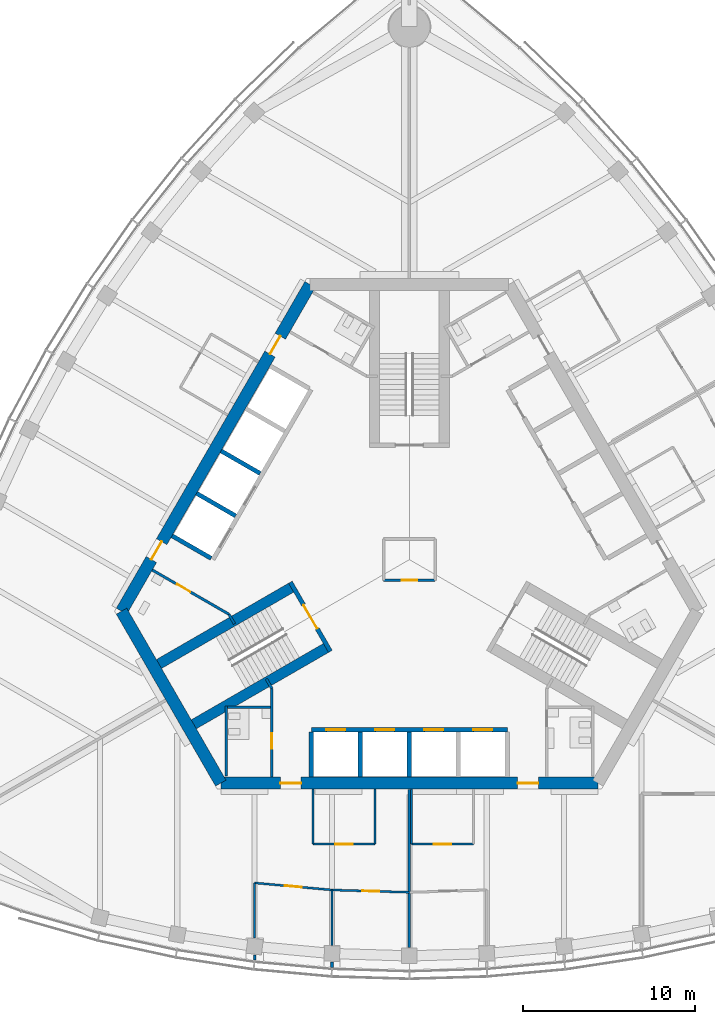
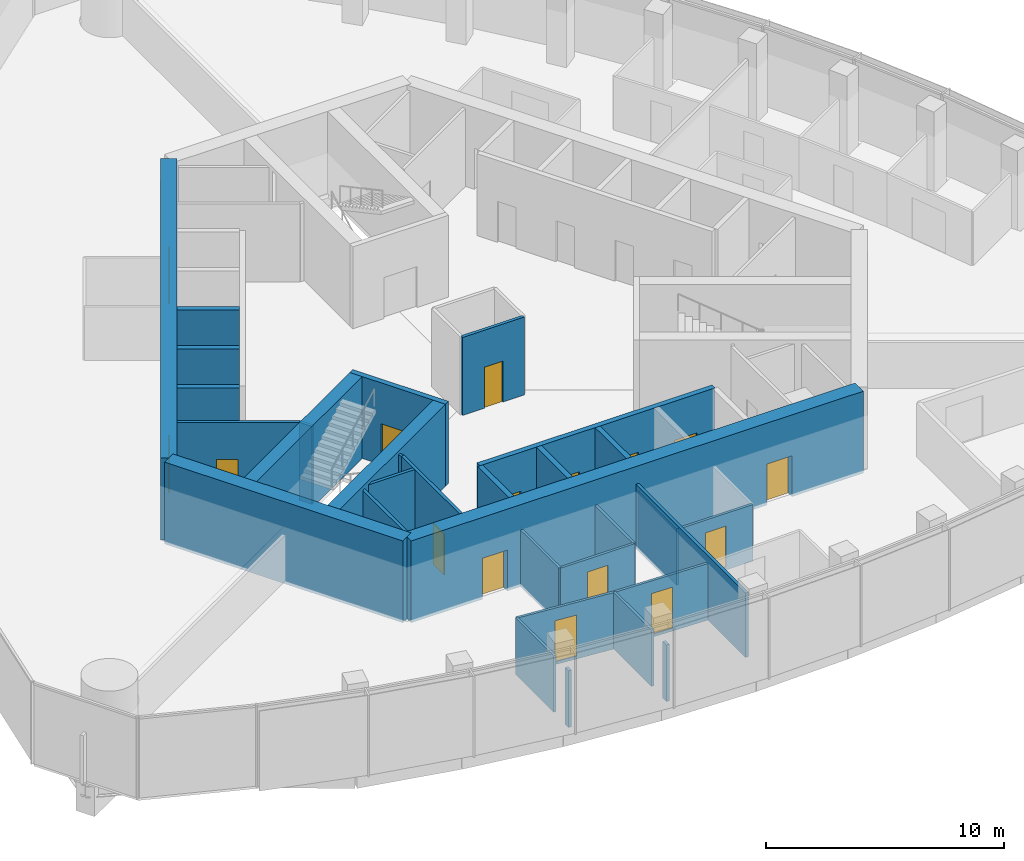
# One storey, part 8 of 16: 32 walls, 16 doors, 16 openings.
"""IFC4 building model written with IfcOpenShell, lengths in metres."""

from ifc_helpers import new_model, si_unit, direction, frame, frame_2d, origin, place, context, subcontext, project, spatial, rectangle, extrude, material, layer, layer_set, type_object, element, fill, save


model = new_model("IFC4")

# Units and contexts
model_context = context("Model", 3, precision=1e-05, world=origin(), true_north=direction((0.0, 1.0)))
body_context = subcontext(model_context, "Body", "Model", "MODEL_VIEW")
ifc_project = project(units=[si_unit("LENGTHUNIT", "METRE"), si_unit("AREAUNIT", "SQUARE_METRE"), si_unit("VOLUMEUNIT", "CUBIC_METRE"), si_unit("PLANEANGLEUNIT", "RADIAN"), si_unit("MASSUNIT", "GRAM", prefix="KILO")], contexts=[model_context])

# Site, building, storey
site_placement = place(None, origin())
site = spatial("IfcSite", under=ifc_project, at=site_placement, CompositionType="ELEMENT")
building_placement = place(site_placement, origin())
building = spatial("IfcBuilding", under=site, at=building_placement, Name="Trefoil Bronze Tower", CompositionType="ELEMENT")
storey_placement = place(building_placement, frame((0.0, 0.0, 297.300048828125)))
storey = spatial("IfcBuildingStorey", under=building, at=storey_placement, Name="L68", CompositionType="ELEMENT", Elevation=297.300048828125)

# Wall, openings, doors
ifc_material_1 = material(Name="Concrete B80", Category="concrete")
ifc_layer_1 = layer(ifc_material_1, 0.699951171875)
ifc_layer_set_1 = layer_set([ifc_layer_1], Name="Core wall 700")
wall_type_1 = type_object("IfcWallType", Name="Core wall 700", PredefinedType="SHEAR", material=ifc_layer_set_1)
wall_1_placement = place(storey_placement, frame((-10.9697265625, -13.0, 0.0), z_axis=(0.0, 0.0, 1.0), x_axis=(1.0, 0.0, 0.0)))
wall_1 = element("IfcWall", 1, at=wall_1_placement, inside=storey, type_object=wall_type_1, Name="Core long wall 1 L68", PredefinedType="SHEAR", context=body_context, shape_type="SweptSolid", body=[
    extrude(rectangle(XDim=21.939453125, YDim=0.699951171875, at=frame_2d((10.9697265625, 0.0))), origin(), (0.0, 0.0, 1.0), 4.199951171875),
])
opening_1_placement = place(wall_1_placement, frame((17.269775390625, 0.0, 0.0)))
opening_1 = element("IfcOpeningElement", 2, at=opening_1_placement, cuts=wall_1, Name="Opening D2", PredefinedType="OPENING", context=body_context, shape_type="SweptSolid", body=[
    extrude(rectangle(XDim=1.199951171875, YDim=2.10009765625, at=frame_2d((0.60009765625, 1.050048828125))), frame((0.0, 0.35986328125, 0.0), z_axis=(0.0, -1.0, 0.0), x_axis=(1.0, 0.0, 0.0)), (0.0, 0.0, 1.0), 0.719970703125),
])
opening_2_placement = place(wall_1_placement, frame((3.4697265625, 0.0, 0.0)))
opening_2 = element("IfcOpeningElement", 3, at=opening_2_placement, cuts=wall_1, Name="Opening D2", PredefinedType="OPENING", context=body_context, shape_type="SweptSolid", body=[
    extrude(rectangle(XDim=1.199951171875, YDim=2.10009765625, at=frame_2d((0.60009765625, 1.050048828125))), frame((0.0, 0.35986328125, 0.0), z_axis=(0.0, -1.0, 0.0), x_axis=(1.0, 0.0, 0.0)), (0.0, 0.0, 1.0), 0.719970703125),
])
ifc_material_2 = material(Name="Steel door", Category="steel")
door_type_1 = type_object("IfcDoorType", Name="Lobby door 1200", OperationType="SINGLE_SWING_RIGHT", PredefinedType="DOOR", material=ifc_material_2)
door_1_placement = place(opening_1_placement, origin())
door_1 = element("IfcDoor", 4, at=door_1_placement, inside=storey, type_object=door_type_1, Name="Lobby door F1+ L68", OperationType="SINGLE_SWING_RIGHT", OverallHeight=2.10009765625, OverallWidth=1.199951171875, PredefinedType="DOOR", context=body_context, shape_type="SweptSolid", body=[
    extrude(rectangle(XDim=1.199951171875, YDim=2.10009765625, at=frame_2d((0.60009765625, 1.050048828125))), frame((0.0, 0.02490234375, 0.0), z_axis=(0.0, -1.0, 0.0), x_axis=(1.0, 0.0, 0.0)), (0.0, 0.0, 1.0), 0.050048828125),
])
fill(opening_1, door_1)
door_2_placement = place(opening_2_placement, origin())
door_2 = element("IfcDoor", 5, at=door_2_placement, inside=storey, type_object=door_type_1, Name="Lobby door F1- L68", OperationType="SINGLE_SWING_LEFT", OverallHeight=2.10009765625, OverallWidth=1.199951171875, PredefinedType="DOOR", context=body_context, shape_type="SweptSolid", body=[
    extrude(rectangle(XDim=1.199951171875, YDim=2.10009765625, at=frame_2d((0.60009765625, 1.050048828125))), frame((0.0, 0.02490234375, 0.0), z_axis=(0.0, -1.0, 0.0), x_axis=(1.0, 0.0, 0.0)), (0.0, 0.0, 1.0), 0.050048828125),
])
fill(opening_2, door_2)

wall_2_placement = place(storey_placement, frame((-5.7734375, 16.0, 0.0), z_axis=(0.0, 0.0, 1.0), x_axis=(-0.500002442456, -0.866023993627, 0.0)))
wall_2 = element("IfcWall", 6, at=wall_2_placement, inside=storey, type_object=wall_type_1, Name="Core long wall 3 L68", PredefinedType="SHEAR", context=body_context, shape_type="SweptSolid", body=[
    extrude(rectangle(XDim=21.939453125, YDim=0.699951171875, at=frame_2d((10.9697265625, 0.0))), origin(), (0.0, 0.0, 1.0), 4.199951171875),
])
opening_3_placement = place(wall_2_placement, frame((17.269775390625, 0.0, 0.0)))
opening_3 = element("IfcOpeningElement", 7, at=opening_3_placement, cuts=wall_2, Name="Opening D2", PredefinedType="OPENING", context=body_context, shape_type="SweptSolid", body=[
    extrude(rectangle(XDim=1.199951171875, YDim=2.10009765625, at=frame_2d((0.60009765625, 1.050048828125))), frame((0.0, 0.35986328125, 0.0), z_axis=(0.0, -1.0, 0.0), x_axis=(1.0, 0.0, 0.0)), (0.0, 0.0, 1.0), 0.719970703125),
])
opening_4_placement = place(wall_2_placement, frame((3.4697265625, 0.0, 0.0)))
opening_4 = element("IfcOpeningElement", 8, at=opening_4_placement, cuts=wall_2, Name="Opening D2", PredefinedType="OPENING", context=body_context, shape_type="SweptSolid", body=[
    extrude(rectangle(XDim=1.199951171875, YDim=2.10009765625, at=frame_2d((0.60009765625, 1.050048828125))), frame((0.0, 0.35986328125, 0.0), z_axis=(0.0, -1.0, 0.0), x_axis=(1.0, 0.0, 0.0)), (0.0, 0.0, 1.0), 0.719970703125),
])
door_3_placement = place(opening_3_placement, origin())
door_3 = element("IfcDoor", 9, at=door_3_placement, inside=storey, type_object=door_type_1, Name="Lobby door F3+ L68", OperationType="SINGLE_SWING_RIGHT", OverallHeight=2.10009765625, OverallWidth=1.199951171875, PredefinedType="DOOR", context=body_context, shape_type="SweptSolid", body=[
    extrude(rectangle(XDim=1.199951171875, YDim=2.10009765625, at=frame_2d((0.60009765625, 1.050048828125))), frame((0.0, 0.02490234375, 0.0), z_axis=(0.0, -1.0, 0.0), x_axis=(1.0, 0.0, 0.0)), (0.0, 0.0, 1.0), 0.050048828125),
])
fill(opening_3, door_3)
door_4_placement = place(opening_4_placement, origin())
door_4 = element("IfcDoor", 10, at=door_4_placement, inside=storey, type_object=door_type_1, Name="Lobby door F3- L68", OperationType="SINGLE_SWING_LEFT", OverallHeight=2.10009765625, OverallWidth=1.199951171875, PredefinedType="DOOR", context=body_context, shape_type="SweptSolid", body=[
    extrude(rectangle(XDim=1.199951171875, YDim=2.10009765625, at=frame_2d((0.60009765625, 1.050048828125))), frame((0.0, 0.02490234375, 0.0), z_axis=(0.0, -1.0, 0.0), x_axis=(1.0, 0.0, 0.0)), (0.0, 0.0, 1.0), 0.050048828125),
])
fill(opening_4, door_4)

# Wall
wall_3_placement = place(storey_placement, frame((-16.7431640625, -3.0, 0.0), z_axis=(0.0, 0.0, 1.0), x_axis=(0.499995765644, -0.866027848477, 0.0)))
element("IfcWall", 11, at=wall_3_placement, inside=storey, type_object=wall_type_1, Name="Core short wall 3 L68", PredefinedType="SHEAR", context=body_context, shape_type="SweptSolid", body=[
    extrude(rectangle(XDim=11.546875, YDim=0.699951171875, at=frame_2d((5.7734375, 0.0))), origin(), (0.0, 0.0, 1.0), 4.199951171875),
])

# Wall, opening, door
ifc_material_3 = material(Name="Glazed partition", Category="glass")
ifc_layer_2 = layer(ifc_material_3, 0.1201171875)
ifc_layer_set_2 = layer_set([ifc_layer_2], Name="Glazed partition 120")
wall_type_2 = type_object("IfcWallType", Name="Glazed partition 120", PredefinedType="PARTITIONING", material=ifc_layer_set_2)
wall_4_placement = place(storey_placement, frame((0.125, -16.550048828125, 0.0), z_axis=(0.0, 0.0, 1.0), x_axis=(1.0, 0.0, 0.0)))
wall_4 = element("IfcWall", 12, at=wall_4_placement, inside=storey, type_object=wall_type_2, Name="Partition F1 L68", PredefinedType="PARTITIONING", context=body_context, shape_type="SweptSolid", body=[
    extrude(rectangle(XDim=3.60009765625, YDim=0.1201171875, at=frame_2d((1.800048828125, 0.0))), origin(), (0.0, 0.0, 1.0), 2.89990234375),
])
opening_5_placement = place(wall_4_placement, frame((1.300048828125, 0.0, 0.14990234375)))
opening_5 = element("IfcOpeningElement", 13, at=opening_5_placement, cuts=wall_4, Name="Opening D9", PredefinedType="OPENING", context=body_context, shape_type="SweptSolid", body=[
    extrude(rectangle(XDim=1.0, YDim=2.10009765625, at=frame_2d((0.5, 1.050048828125))), frame((0.0, 0.070068359375, 0.0), z_axis=(0.0, -1.0, 0.0), x_axis=(1.0, 0.0, 0.0)), (0.0, 0.0, 1.0), 0.14013671875),
])
ifc_material_4 = material(Name="Glazed timber door", Category="wood")
door_type_2 = type_object("IfcDoorType", Name="Meeting room door 1000", OperationType="SINGLE_SWING_LEFT", PredefinedType="DOOR", material=ifc_material_4)
door_5_placement = place(opening_5_placement, origin())
door_5 = element("IfcDoor", 14, at=door_5_placement, inside=storey, type_object=door_type_2, Name="Meeting room door F1 L68", OperationType="SINGLE_SWING_LEFT", OverallHeight=2.10009765625, OverallWidth=1.0, PredefinedType="DOOR", context=body_context, shape_type="SweptSolid", body=[
    extrude(rectangle(XDim=1.0, YDim=2.10009765625, at=frame_2d((0.5, 1.050048828125))), frame((0.0, 0.02490234375, 0.0), z_axis=(0.0, -1.0, 0.0), x_axis=(1.0, 0.0, 0.0)), (0.0, 0.0, 1.0), 0.050048828125),
])
fill(opening_5, door_5)

wall_5_placement = place(storey_placement, frame((-5.60009765625, -16.550048828125, 0.0), z_axis=(0.0, 0.0, 1.0), x_axis=(1.0, 0.0, 0.0)))
wall_5 = element("IfcWall", 15, at=wall_5_placement, inside=storey, type_object=wall_type_2, Name="Partition F1 L68", PredefinedType="PARTITIONING", context=body_context, shape_type="SweptSolid", body=[
    extrude(rectangle(XDim=3.60009765625, YDim=0.1201171875, at=frame_2d((1.800048828125, 0.0))), origin(), (0.0, 0.0, 1.0), 2.89990234375),
])
opening_6_placement = place(wall_5_placement, frame((1.300048828125, 0.0, 0.14990234375)))
opening_6 = element("IfcOpeningElement", 16, at=opening_6_placement, cuts=wall_5, Name="Opening D9", PredefinedType="OPENING", context=body_context, shape_type="SweptSolid", body=[
    extrude(rectangle(XDim=1.0, YDim=2.10009765625, at=frame_2d((0.5, 1.050048828125))), frame((0.0, 0.070068359375, 0.0), z_axis=(0.0, -1.0, 0.0), x_axis=(1.0, 0.0, 0.0)), (0.0, 0.0, 1.0), 0.14013671875),
])
door_6_placement = place(opening_6_placement, origin())
door_6 = element("IfcDoor", 17, at=door_6_placement, inside=storey, type_object=door_type_2, Name="Meeting room door F1 L68", OperationType="SINGLE_SWING_RIGHT", OverallHeight=2.10009765625, OverallWidth=1.0, PredefinedType="DOOR", context=body_context, shape_type="SweptSolid", body=[
    extrude(rectangle(XDim=1.0, YDim=2.10009765625, at=frame_2d((0.5, 1.050048828125))), frame((0.0, 0.02490234375, 0.0), z_axis=(0.0, -1.0, 0.0), x_axis=(1.0, 0.0, 0.0)), (0.0, 0.0, 1.0), 0.050048828125),
])
fill(opening_6, door_6)

# Walls
for number, where, z_axis, x_axis, name in (
    (18, (0.125, -13.35009765625, 0.0), (0.0, 0.0, 1.0), (0.0, -1.0, 0.0), "Partition F1 L68"),
    (19, (-2.0, -13.35009765625, 0.0), (0.0, 0.0, 1.0), (0.0, -1.0, 0.0), "Partition F1 L68"),
    (20, (-5.60009765625, -13.35009765625, 0.0), (0.0, 0.0, 1.0), (0.0, -1.0, 0.0), "Partition F1 L68"),
):
    element("IfcWall", number, at=place(storey_placement, frame(where, z_axis=z_axis, x_axis=x_axis)), inside=storey, type_object=wall_type_2, Name=name, PredefinedType="PARTITIONING", context=body_context, shape_type="SweptSolid", body=[
        extrude(rectangle(XDim=3.199951171875, YDim=0.1201171875, at=frame_2d((1.60009765625, 0.0))), origin(), (0.0, 0.0, 1.0), 2.89990234375),
    ])

# Wall, opening, door
wall_6_placement = place(storey_placement, frame((-4.5, -19.21533203125, 0.0), z_axis=(0.0, 0.0, 1.0), x_axis=(0.999542074227, -0.030259574513, 0.0)))
wall_6 = element("IfcWall", 21, at=wall_6_placement, inside=storey, type_object=wall_type_2, Name="Partition F1 L68", PredefinedType="PARTITIONING", context=body_context, shape_type="SweptSolid", body=[
    extrude(rectangle(XDim=4.501953125, YDim=0.1201171875, at=frame_2d((2.2509765625, 0.0))), origin(), (0.0, 0.0, 1.0), 2.89990234375),
])
opening_7_placement = place(wall_6_placement, frame((1.75, 0.0, 0.14990234375)))
opening_7 = element("IfcOpeningElement", 22, at=opening_7_placement, cuts=wall_6, Name="Opening D9", PredefinedType="OPENING", context=body_context, shape_type="SweptSolid", body=[
    extrude(rectangle(XDim=1.0, YDim=2.10009765625, at=frame_2d((0.5, 1.050048828125))), frame((0.0, 0.070068359375, 0.0), z_axis=(0.0, -1.0, 0.0), x_axis=(1.0, 0.0, 0.0)), (0.0, 0.0, 1.0), 0.14013671875),
])
door_7_placement = place(opening_7_placement, frame((1.0, 0.0, 0.0), z_axis=(0.0, 0.0, 1.0), x_axis=(-1.0, 0.0, 0.0)))
door_7 = element("IfcDoor", 23, at=door_7_placement, inside=storey, type_object=door_type_2, Name="Client meeting room door F1 L68", OperationType="SINGLE_SWING_RIGHT", OverallHeight=2.10009765625, OverallWidth=1.0, PredefinedType="DOOR", context=body_context, shape_type="SweptSolid", body=[
    extrude(rectangle(XDim=1.0, YDim=2.10009765625, at=frame_2d((0.5, 1.050048828125))), frame((0.0, 0.02490234375, 0.0), z_axis=(0.0, -1.0, 0.0), x_axis=(1.0, 0.0, 0.0)), (0.0, 0.0, 1.0), 0.050048828125),
])
fill(opening_7, door_7)

wall_7_placement = place(storey_placement, frame((-9.0, -18.80517578125, 0.0), z_axis=(0.0, 0.0, 1.0), x_axis=(0.995871921504, -0.090769576179, 0.0)))
wall_7 = element("IfcWall", 24, at=wall_7_placement, inside=storey, type_object=wall_type_2, Name="Partition F1 L68", PredefinedType="PARTITIONING", context=body_context, shape_type="SweptSolid", body=[
    extrude(rectangle(XDim=4.5185546875, YDim=0.1201171875, at=frame_2d((2.25927734375, 0.0))), origin(), (0.0, 0.0, 1.0), 2.89990234375),
])
opening_8_placement = place(wall_7_placement, frame((1.75, 0.0, 0.14990234375)))
opening_8 = element("IfcOpeningElement", 25, at=opening_8_placement, cuts=wall_7, Name="Opening D9", PredefinedType="OPENING", context=body_context, shape_type="SweptSolid", body=[
    extrude(rectangle(XDim=1.0, YDim=2.10009765625, at=frame_2d((0.5, 1.050048828125))), frame((0.0, 0.070068359375, 0.0), z_axis=(0.0, -1.0, 0.0), x_axis=(1.0, 0.0, 0.0)), (0.0, 0.0, 1.0), 0.14013671875),
])
door_8_placement = place(opening_8_placement, frame((1.0, 0.0, 0.0), z_axis=(0.0, 0.0, 1.0), x_axis=(-1.0, 0.0, 0.0)))
door_8 = element("IfcDoor", 26, at=door_8_placement, inside=storey, type_object=door_type_2, Name="Client meeting room door F1 L68", OperationType="SINGLE_SWING_RIGHT", OverallHeight=2.10009765625, OverallWidth=1.0, PredefinedType="DOOR", context=body_context, shape_type="SweptSolid", body=[
    extrude(rectangle(XDim=1.0, YDim=2.10009765625, at=frame_2d((0.5, 1.050048828125))), frame((0.0, 0.02490234375, 0.0), z_axis=(0.0, -1.0, 0.0), x_axis=(1.0, 0.0, 0.0)), (0.0, 0.0, 1.0), 0.050048828125),
])
fill(opening_8, door_8)

# Walls
wall_8_placement = place(storey_placement, frame((-4.5, -19.21533203125, 0.0), z_axis=(0.0, 0.0, 1.0), x_axis=(0.0, -1.0, 0.0)))
element("IfcWall", 27, at=wall_8_placement, inside=storey, type_object=wall_type_2, Name="Partition F1 L68", PredefinedType="PARTITIONING", context=body_context, shape_type="SweptSolid", body=[
    extrude(rectangle(XDim=3.2177734375, YDim=0.1201171875, at=frame_2d((1.60888671875, 0.0))), origin(), (0.0, 0.0, 1.0), 2.89990234375),
])
wall_9_placement = place(storey_placement, frame((-9.0, -18.80517578125, 0.0), z_axis=(0.0, 0.0, 1.0), x_axis=(0.0, -1.0, 0.0)))
element("IfcWall", 28, at=wall_9_placement, inside=storey, type_object=wall_type_2, Name="Partition F1 L68", PredefinedType="PARTITIONING", context=body_context, shape_type="SweptSolid", body=[
    extrude(rectangle(XDim=3.21044921875, YDim=0.1201171875, at=frame_2d((1.605224609375, 0.0))), origin(), (0.0, 0.0, 1.0), 2.89990234375),
])

# Wall, opening, door
ifc_material_5 = material(Name="Gypsum board on steel studs", Category="steel")
ifc_layer_3 = layer(ifc_material_5, 0.14990234375)
ifc_layer_set_3 = layer_set([ifc_layer_3], Name="Partition 150")
wall_type_3 = type_object("IfcWallType", Name="Partition 150", PredefinedType="PARTITIONING", material=ifc_layer_set_3)
wall_10_placement = place(storey_placement, frame((-8.0, -7.5, 0.0), z_axis=(0.0, 0.0, 1.0), x_axis=(0.0, -1.0, 0.0)))
wall_10 = element("IfcWall", 29, at=wall_10_placement, inside=storey, type_object=wall_type_3, Name="Passage wall F1- L68", PredefinedType="PARTITIONING", context=body_context, shape_type="SweptSolid", body=[
    extrude(rectangle(XDim=5.14990234375, YDim=0.14990234375, at=frame_2d((2.574951171875, 0.0))), origin(), (0.0, 0.0, 1.0), 4.0),
])
opening_9_placement = place(wall_10_placement, frame((2.60009765625, 0.0, 0.0)))
opening_9 = element("IfcOpeningElement", 30, at=opening_9_placement, cuts=wall_10, Name="Opening D3", PredefinedType="OPENING", context=body_context, shape_type="SweptSolid", body=[
    extrude(rectangle(XDim=0.89990234375, YDim=2.10009765625, at=frame_2d((0.449951171875, 1.050048828125))), frame((0.0, 0.0849609375, 0.0), z_axis=(0.0, -1.0, 0.0), x_axis=(1.0, 0.0, 0.0)), (0.0, 0.0, 1.0), 0.169921875),
])
ifc_material_6 = material(Name="Timber door", Category="wood")
door_type_3 = type_object("IfcDoorType", Name="WC door 900", OperationType="SINGLE_SWING_LEFT", PredefinedType="DOOR", material=ifc_material_6)
door_9_placement = place(opening_9_placement, frame((0.89990234375, 0.0, 0.0), z_axis=(0.0, 0.0, 1.0), x_axis=(-1.0, 0.0, 0.0)))
door_9 = element("IfcDoor", 31, at=door_9_placement, inside=storey, type_object=door_type_3, Name="WC (women) door L68", OperationType="SINGLE_SWING_RIGHT", OverallHeight=2.10009765625, OverallWidth=0.89990234375, PredefinedType="DOOR", context=body_context, shape_type="SweptSolid", body=[
    extrude(rectangle(XDim=0.89990234375, YDim=2.10009765625, at=frame_2d((0.449951171875, 1.050048828125))), frame((0.0, 0.02490234375, 0.0), z_axis=(0.0, -1.0, 0.0), x_axis=(1.0, 0.0, 0.0)), (0.0, 0.0, 1.0), 0.050048828125),
])
fill(opening_9, door_9)

wall_11_placement = place(storey_placement, frame((-10.4951171875, -3.17822265625, 0.0), z_axis=(0.0, 0.0, 1.0), x_axis=(-0.866037967349, 0.499978238636, 0.0)))
wall_11 = element("IfcWall", 32, at=wall_11_placement, inside=storey, type_object=wall_type_3, Name="Passage wall F3+ L68", PredefinedType="PARTITIONING", context=body_context, shape_type="SweptSolid", body=[
    extrude(rectangle(XDim=5.150146484375, YDim=0.14990234375, at=frame_2d((2.5751953125, 0.0))), origin(), (0.0, 0.0, 1.0), 4.0),
])
opening_10_placement = place(wall_11_placement, frame((2.60009765625, 0.0, 0.0)))
opening_10 = element("IfcOpeningElement", 33, at=opening_10_placement, cuts=wall_11, Name="Opening D3", PredefinedType="OPENING", context=body_context, shape_type="SweptSolid", body=[
    extrude(rectangle(XDim=0.89990234375, YDim=2.10009765625, at=frame_2d((0.449951171875, 1.050048828125))), frame((0.0, 0.0849609375, 0.0), z_axis=(0.0, -1.0, 0.0), x_axis=(1.0, 0.0, 0.0)), (0.0, 0.0, 1.0), 0.169921875),
])
door_10_placement = place(opening_10_placement, origin())
door_10 = element("IfcDoor", 34, at=door_10_placement, inside=storey, type_object=door_type_3, Name="Accessible WC door L68", OperationType="SINGLE_SWING_RIGHT", OverallHeight=2.10009765625, OverallWidth=0.89990234375, PredefinedType="DOOR", context=body_context, shape_type="SweptSolid", body=[
    extrude(rectangle(XDim=0.89990234375, YDim=2.10009765625, at=frame_2d((0.449951171875, 1.050048828125))), frame((0.0, 0.02490234375, 0.0), z_axis=(0.0, -1.0, 0.0), x_axis=(1.0, 0.0, 0.0)), (0.0, 0.0, 1.0), 0.050048828125),
])
fill(opening_10, door_10)

# Walls
for number, where, z_axis, x_axis, name in (
    (35, (-10.4951171875, -3.17822265625, 0.0), (0.0, 0.0, 1.0), (0.499842556608, -0.866116284689, 0.0), "WC wall ST3-1 L68"),
    (36, (-8.0, -7.5, 0.0), (0.0, 0.0, 1.0), (-0.499842556608, 0.866116284689, 0.0), "WC wall ST3+1 L68"),
):
    element("IfcWall", number, at=place(storey_placement, frame(where, z_axis=z_axis, x_axis=x_axis)), inside=storey, type_object=wall_type_3, Name=name, PredefinedType="PARTITIONING", context=body_context, shape_type="SweptSolid", body=[
        extrude(rectangle(XDim=0.645263671875, YDim=0.14990234375, at=frame_2d((0.32275390625, 0.0))), origin(), (0.0, 0.0, 1.0), 4.0),
    ])
wall_12_placement = place(storey_placement, frame((-10.659912109375, -8.5, 0.0), z_axis=(0.0, 0.0, 1.0), x_axis=(0.0, -1.0, 0.0)))
element("IfcWall", 37, at=wall_12_placement, inside=storey, type_object=wall_type_3, Name="WC partition WC (women) L68", PredefinedType="PARTITIONING", context=body_context, shape_type="SweptSolid", body=[
    extrude(rectangle(XDim=4.10009765625, YDim=0.14990234375, at=frame_2d((2.050048828125, 0.0))), origin(), (0.0, 0.0, 1.0), 4.0),
])
wall_13_placement = place(storey_placement, frame((-8.074951171875, -8.574951171875, 0.0), z_axis=(0.0, 0.0, 1.0), x_axis=(-1.0, 0.0, 0.0)))
element("IfcWall", 38, at=wall_13_placement, inside=storey, type_object=wall_type_3, Name="WC partition WC (women) L68", PredefinedType="PARTITIONING", context=body_context, shape_type="SweptSolid", body=[
    extrude(rectangle(XDim=2.510009765625, YDim=0.14990234375, at=frame_2d((1.2548828125, 0.0))), origin(), (0.0, 0.0, 1.0), 4.0),
])
wall_14_placement = place(storey_placement, frame((-4.5, -23.394287109375, 0.0), z_axis=(0.0, 0.0, 1.0), x_axis=(0.0, -1.0, 0.0)))
element("IfcWall", 39, at=wall_14_placement, inside=storey, type_object=wall_type_3, Name="Partition F1 L68", PredefinedType="PARTITIONING", context=body_context, shape_type="SweptSolid", body=[
    extrude(rectangle(XDim=0.316162109375, YDim=0.14990234375, at=frame_2d((0.158203125, 0.0))), origin(), (0.0, 0.0, 1.0), 2.89990234375),
])
wall_15_placement = place(storey_placement, frame((-9.0, -23.00439453125, 0.0), z_axis=(0.0, 0.0, 1.0), x_axis=(0.0, -1.0, 0.0)))
element("IfcWall", 40, at=wall_15_placement, inside=storey, type_object=wall_type_3, Name="Partition F1 L68", PredefinedType="PARTITIONING", context=body_context, shape_type="SweptSolid", body=[
    extrude(rectangle(XDim=0.295654296875, YDim=0.14990234375, at=frame_2d((0.14794921875, 0.0))), origin(), (0.0, 0.0, 1.0), 2.89990234375),
])
ifc_material_7 = material(Name="Gypsum board on steel studs", Category="steel")
ifc_layer_4 = layer(ifc_material_7, 0.14990234375)
ifc_layer_set_4 = layer_set([ifc_layer_4], Name="Party wall 150")
wall_type_4 = type_object("IfcWallType", Name="Party wall 150", PredefinedType="PARTITIONING", material=ifc_layer_set_4)
wall_16_placement = place(storey_placement, frame((0.0, -13.360107421875, 0.0), z_axis=(0.0, 0.0, 1.0), x_axis=(0.0, -1.0, 0.0)))
element("IfcWall", 41, at=wall_16_placement, inside=storey, type_object=wall_type_4, Name="Demising wall F1 L68", PredefinedType="PARTITIONING", context=body_context, shape_type="SweptSolid", body=[
    extrude(rectangle(XDim=9.21142578125, YDim=0.14990234375, at=frame_2d((4.605712890625, 0.0))), origin(), (0.0, 0.0, 1.0), 3.300048828125),
])

# Wall, opening, door
ifc_material_8 = material(Name="Gypsum board on steel studs", Category="steel")
ifc_layer_5 = layer(ifc_material_8, 0.14990234375)
ifc_layer_set_5 = layer_set([ifc_layer_5], Name="Riser wall 150")
wall_type_5 = type_object("IfcWallType", Name="Riser wall 150", PredefinedType="PARTITIONING", material=ifc_layer_set_5)
wall_17_placement = place(storey_placement, frame((-1.5, -1.199951171875, 0.0), z_axis=(0.0, 0.0, 1.0), x_axis=(1.0, 0.0, 0.0)))
wall_17 = element("IfcWall", 42, at=wall_17_placement, inside=storey, type_object=wall_type_5, Name="Riser wall L68", PredefinedType="PARTITIONING", context=body_context, shape_type="SweptSolid", body=[
    extrude(rectangle(XDim=3.0, YDim=0.14990234375, at=frame_2d((1.5, 0.0))), origin(), (0.0, 0.0, 1.0), 4.0),
])
opening_11_placement = place(wall_17_placement, frame((1.050048828125, 0.0, 0.0)))
opening_11 = element("IfcOpeningElement", 43, at=opening_11_placement, cuts=wall_17, Name="Opening D4", PredefinedType="OPENING", context=body_context, shape_type="SweptSolid", body=[
    extrude(rectangle(XDim=0.89990234375, YDim=2.10009765625, at=frame_2d((0.449951171875, 1.050048828125))), frame((0.0, 0.0849609375, 0.0), z_axis=(0.0, -1.0, 0.0), x_axis=(1.0, 0.0, 0.0)), (0.0, 0.0, 1.0), 0.169921875),
])
ifc_material_9 = material(Name="Steel door", Category="steel")
door_type_4 = type_object("IfcDoorType", Name="Riser door 900", OperationType="SINGLE_SWING_LEFT", PredefinedType="DOOR", material=ifc_material_9)
door_11_placement = place(opening_11_placement, frame((0.89990234375, 0.0, 0.0), z_axis=(0.0, 0.0, 1.0), x_axis=(-1.0, 0.0, 0.0)))
door_11 = element("IfcDoor", 44, at=door_11_placement, inside=storey, type_object=door_type_4, Name="Riser door L68", OperationType="SINGLE_SWING_LEFT", OverallHeight=2.10009765625, OverallWidth=0.89990234375, PredefinedType="DOOR", context=body_context, shape_type="SweptSolid", body=[
    extrude(rectangle(XDim=0.89990234375, YDim=2.10009765625, at=frame_2d((0.449951171875, 1.050048828125))), frame((0.0, 0.02490234375, 0.0), z_axis=(0.0, -1.0, 0.0), x_axis=(1.0, 0.0, 0.0)), (0.0, 0.0, 1.0), 0.050048828125),
])
fill(opening_11, door_11)

# Wall, openings, doors
ifc_material_10 = material(Name="Concrete B80", Category="concrete")
ifc_layer_6 = layer(ifc_material_10, 0.25)
ifc_layer_set_6 = layer_set([ifc_layer_6], Name="Shaft wall 250")
wall_type_6 = type_object("IfcWallType", Name="Shaft wall 250", PredefinedType="SHEAR", material=ifc_layer_set_6)
wall_18_placement = place(storey_placement, frame((-5.699951171875, -9.89990234375, 0.0), z_axis=(0.0, 0.0, 1.0), x_axis=(1.0, 0.0, 0.0)))
wall_18 = element("IfcWall", 45, at=wall_18_placement, inside=storey, type_object=wall_type_6, Name="Lift shaft front wall A L68", PredefinedType="SHEAR", context=body_context, shape_type="SweptSolid", body=[
    extrude(rectangle(XDim=11.39990234375, YDim=0.25, at=frame_2d((5.699951171875, 0.0))), origin(), (0.0, 0.0, 1.0), 4.199951171875),
])
opening_12_placement = place(wall_18_placement, frame((0.875, 0.0, 0.0)))
opening_12 = element("IfcOpeningElement", 46, at=opening_12_placement, cuts=wall_18, Name="Opening LD-P41", PredefinedType="OPENING", context=body_context, shape_type="SweptSolid", body=[
    extrude(rectangle(XDim=1.10009765625, YDim=2.199951171875, at=frame_2d((0.550048828125, 1.10009765625))), frame((0.0, 0.135009765625, 0.0), z_axis=(0.0, -1.0, 0.0), x_axis=(1.0, 0.0, 0.0)), (0.0, 0.0, 1.0), 0.27001953125),
])
opening_13_placement = place(wall_18_placement, frame((3.72509765625, 0.0, 0.0)))
opening_13 = element("IfcOpeningElement", 47, at=opening_13_placement, cuts=wall_18, Name="Opening LD-P42", PredefinedType="OPENING", context=body_context, shape_type="SweptSolid", body=[
    extrude(rectangle(XDim=1.10009765625, YDim=2.199951171875, at=frame_2d((0.550048828125, 1.10009765625))), frame((0.0, 0.135009765625, 0.0), z_axis=(0.0, -1.0, 0.0), x_axis=(1.0, 0.0, 0.0)), (0.0, 0.0, 1.0), 0.27001953125),
])
opening_14_placement = place(wall_18_placement, frame((6.574951171875, 0.0, 0.0)))
opening_14 = element("IfcOpeningElement", 48, at=opening_14_placement, cuts=wall_18, Name="Opening LD-P43", PredefinedType="OPENING", context=body_context, shape_type="SweptSolid", body=[
    extrude(rectangle(XDim=1.10009765625, YDim=2.199951171875, at=frame_2d((0.550048828125, 1.10009765625))), frame((0.0, 0.135009765625, 0.0), z_axis=(0.0, -1.0, 0.0), x_axis=(1.0, 0.0, 0.0)), (0.0, 0.0, 1.0), 0.27001953125),
])
opening_15_placement = place(wall_18_placement, frame((9.425048828125, 0.0, 0.0)))
opening_15 = element("IfcOpeningElement", 49, at=opening_15_placement, cuts=wall_18, Name="Opening LD-P44", PredefinedType="OPENING", context=body_context, shape_type="SweptSolid", body=[
    extrude(rectangle(XDim=1.10009765625, YDim=2.199951171875, at=frame_2d((0.550048828125, 1.10009765625))), frame((0.0, 0.135009765625, 0.0), z_axis=(0.0, -1.0, 0.0), x_axis=(1.0, 0.0, 0.0)), (0.0, 0.0, 1.0), 0.27001953125),
])
ifc_material_11 = material(Name="Steel door", Category="steel")
door_type_5 = type_object("IfcDoorType", Name="Lift landing door 1100", OperationType="DOUBLE_DOOR_SLIDING", PredefinedType="DOOR", material=ifc_material_11)
door_12_placement = place(opening_12_placement, origin())
door_12 = element("IfcDoor", 50, at=door_12_placement, inside=storey, type_object=door_type_5, Name="Lift P41 landing door L68", OperationType="DOUBLE_DOOR_SLIDING", OverallHeight=2.199951171875, OverallWidth=1.10009765625, PredefinedType="DOOR", context=body_context, shape_type="SweptSolid", body=[
    extrude(rectangle(XDim=1.10009765625, YDim=2.199951171875, at=frame_2d((0.550048828125, 1.10009765625))), frame((0.0, 0.02490234375, 0.0), z_axis=(0.0, -1.0, 0.0), x_axis=(1.0, 0.0, 0.0)), (0.0, 0.0, 1.0), 0.050048828125),
])
fill(opening_12, door_12)
door_13_placement = place(opening_13_placement, origin())
door_13 = element("IfcDoor", 51, at=door_13_placement, inside=storey, type_object=door_type_5, Name="Lift P42 landing door L68", OperationType="DOUBLE_DOOR_SLIDING", OverallHeight=2.199951171875, OverallWidth=1.10009765625, PredefinedType="DOOR", context=body_context, shape_type="SweptSolid", body=[
    extrude(rectangle(XDim=1.10009765625, YDim=2.199951171875, at=frame_2d((0.550048828125, 1.10009765625))), frame((0.0, 0.02490234375, 0.0), z_axis=(0.0, -1.0, 0.0), x_axis=(1.0, 0.0, 0.0)), (0.0, 0.0, 1.0), 0.050048828125),
])
fill(opening_13, door_13)
door_14_placement = place(opening_14_placement, origin())
door_14 = element("IfcDoor", 52, at=door_14_placement, inside=storey, type_object=door_type_5, Name="Lift P43 landing door L68", OperationType="DOUBLE_DOOR_SLIDING", OverallHeight=2.199951171875, OverallWidth=1.10009765625, PredefinedType="DOOR", context=body_context, shape_type="SweptSolid", body=[
    extrude(rectangle(XDim=1.10009765625, YDim=2.199951171875, at=frame_2d((0.550048828125, 1.10009765625))), frame((0.0, 0.02490234375, 0.0), z_axis=(0.0, -1.0, 0.0), x_axis=(1.0, 0.0, 0.0)), (0.0, 0.0, 1.0), 0.050048828125),
])
fill(opening_14, door_14)
door_15_placement = place(opening_15_placement, origin())
door_15 = element("IfcDoor", 53, at=door_15_placement, inside=storey, type_object=door_type_5, Name="Lift P44 landing door L68", OperationType="DOUBLE_DOOR_SLIDING", OverallHeight=2.199951171875, OverallWidth=1.10009765625, PredefinedType="DOOR", context=body_context, shape_type="SweptSolid", body=[
    extrude(rectangle(XDim=1.10009765625, YDim=2.199951171875, at=frame_2d((0.550048828125, 1.10009765625))), frame((0.0, 0.02490234375, 0.0), z_axis=(0.0, -1.0, 0.0), x_axis=(1.0, 0.0, 0.0)), (0.0, 0.0, 1.0), 0.050048828125),
])
fill(opening_15, door_15)

# Walls
for number, where, z_axis, x_axis, name in (
    (54, (-5.699951171875, -10.02490234375, 0.0), (0.0, 0.0, 1.0), (0.0, -1.0, 0.0), "Lift shaft side wall A0 L68"),
    (55, (-2.85009765625, -10.02490234375, 0.0), (0.0, 0.0, 1.0), (0.0, -1.0, 0.0), "Lift shaft side wall A1 L68"),
    (56, (0.0, -10.02490234375, 0.0), (0.0, 0.0, 1.0), (0.0, -1.0, 0.0), "Lift shaft side wall A2 L68"),
    (57, (-8.681884765625, 5.012451171875, 0.0), (0.0, 0.0, 1.0), (-0.866036909293, 0.499980071345, 0.0), "Lift shaft side wall C2 L68"),
    (58, (-10.10693359375, 2.54443359375, 0.0), (0.0, 0.0, 1.0), (-0.866013657776, 0.500020344131, 0.0), "Lift shaft side wall C3 L68"),
    (59, (-11.531982421875, 0.076171875, 0.0), (0.0, 0.0, 1.0), (-0.866013657776, 0.500020344131, 0.0), "Lift shaft side wall C4 L68"),
):
    element("IfcWall", number, at=place(storey_placement, frame(where, z_axis=z_axis, x_axis=x_axis)), inside=storey, type_object=wall_type_6, Name=name, PredefinedType="SHEAR", context=body_context, shape_type="SweptSolid", body=[
        extrude(rectangle(XDim=2.625, YDim=0.25, at=frame_2d((1.3125, 0.0))), origin(), (0.0, 0.0, 1.0), 4.199951171875),
    ])

# Wall, opening, door
wall_19_placement = place(storey_placement, frame((-6.921630859375, -1.3115234375, 0.0), z_axis=(0.0, 0.0, 1.0), x_axis=(0.499984536904, -0.866034331223, 0.0)))
wall_19 = element("IfcWall", 60, at=wall_19_placement, inside=storey, type_object=wall_type_6, Name="Stair end wall ST3 L68", PredefinedType="SHEAR", context=body_context, shape_type="SweptSolid", body=[
    extrude(rectangle(XDim=4.650146484375, YDim=0.25, at=frame_2d((2.3251953125, 0.0))), origin(), (0.0, 0.0, 1.0), 4.199951171875),
])
opening_16_placement = place(wall_19_placement, frame((1.52490234375, 0.0, 0.0)))
opening_16 = element("IfcOpeningElement", 61, at=opening_16_placement, cuts=wall_19, Name="Opening D1", PredefinedType="OPENING", context=body_context, shape_type="SweptSolid", body=[
    extrude(rectangle(XDim=1.60009765625, YDim=2.10009765625, at=frame_2d((0.800048828125, 1.050048828125))), frame((0.0, 0.135009765625, 0.0), z_axis=(0.0, -1.0, 0.0), x_axis=(1.0, 0.0, 0.0)), (0.0, 0.0, 1.0), 0.27001953125),
])
ifc_material_12 = material(Name="Steel door", Category="steel")
door_type_6 = type_object("IfcDoorType", Name="Stair door 1600", OperationType="DOUBLE_DOOR_SINGLE_SWING", PredefinedType="DOOR", material=ifc_material_12)
door_16_placement = place(opening_16_placement, frame((1.60009765625, 0.0, 0.0), z_axis=(0.0, 0.0, 1.0), x_axis=(-1.0, 0.0, 0.0)))
door_16 = element("IfcDoor", 62, at=door_16_placement, inside=storey, type_object=door_type_6, Name="Stair door ST3 L68", OperationType="DOUBLE_DOOR_SINGLE_SWING", OverallHeight=2.10009765625, OverallWidth=1.60009765625, PredefinedType="DOOR", context=body_context, shape_type="SweptSolid", body=[
    extrude(rectangle(XDim=1.60009765625, YDim=2.10009765625, at=frame_2d((0.800048828125, 1.050048828125))), frame((0.0, 0.02490234375, 0.0), z_axis=(0.0, -1.0, 0.0), x_axis=(1.0, 0.0, 0.0)), (0.0, 0.0, 1.0), 0.050048828125),
])
fill(opening_16, door_16)

# Walls
ifc_material_13 = material(Name="Concrete B80", Category="concrete")
ifc_layer_7 = layer(ifc_material_13, 0.60009765625)
ifc_layer_set_7 = layer_set([ifc_layer_7], Name="Stair wall 600")
wall_type_7 = type_object("IfcWallType", Name="Stair wall 600", PredefinedType="SHEAR", material=ifc_layer_set_7)
for number, where, z_axis, x_axis, name in (
    (63, (-6.663330078125, -1.5087890625, 0.0), (0.0, 0.0, 1.0), (-0.866028310072, -0.499994966129, 0.0), "Stair wall ST3 L68"),
    (64, (-4.638427734375, -5.01611328125, 0.0), (0.0, 0.0, 1.0), (-0.866021621257, -0.500006551472, 0.0), "Stair wall ST3 L68"),
):
    element("IfcWall", number, at=place(storey_placement, frame(where, z_axis=z_axis, x_axis=x_axis)), inside=storey, type_object=wall_type_7, Name=name, PredefinedType="SHEAR", context=body_context, shape_type="SweptSolid", body=[
        extrude(rectangle(XDim=9.125, YDim=0.60009765625, at=frame_2d((4.5625, 0.0))), origin(), (0.0, 0.0, 1.0), 4.199951171875),
    ])

save(model, "model.ifc")
